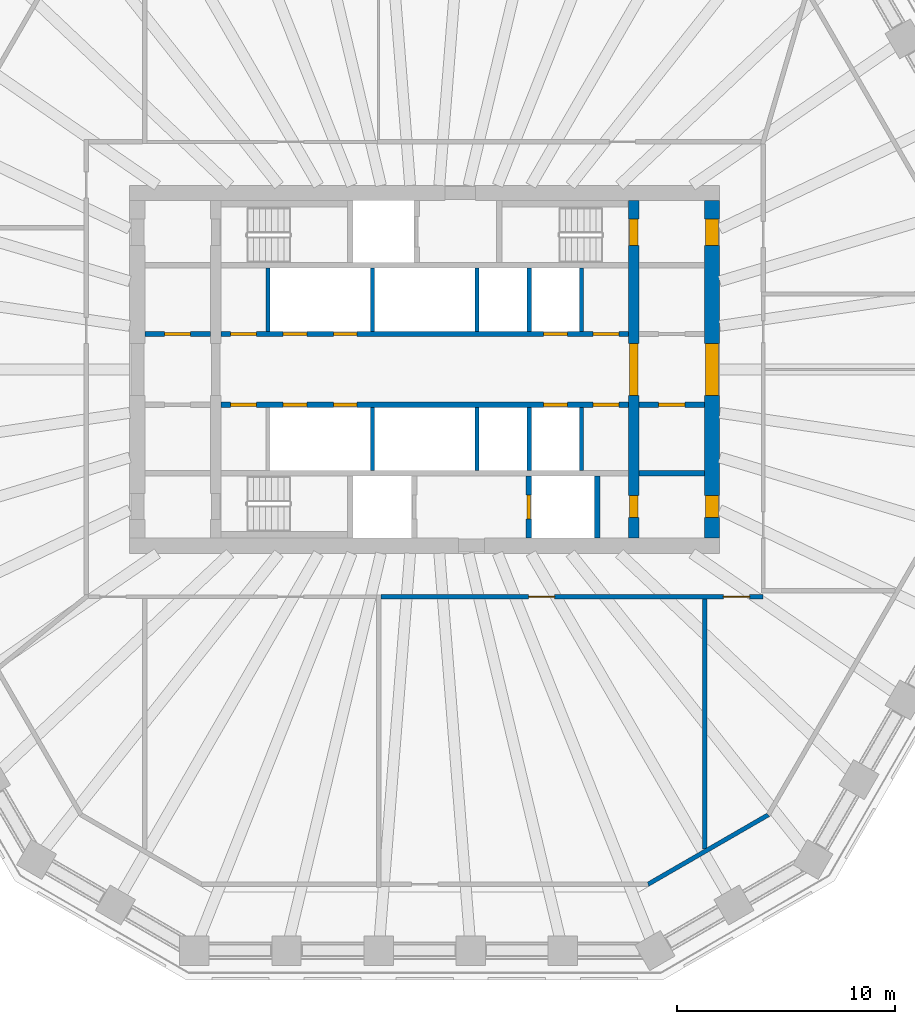
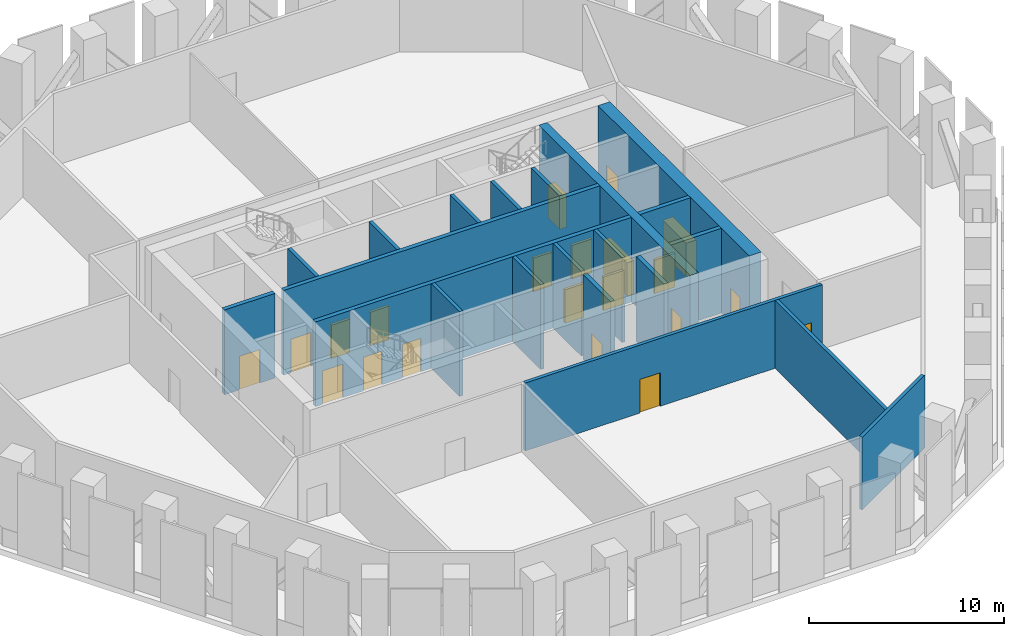
# One storey, part 4 of 8: 21 doors, 21 walls, 21 openings.
"""IFC4 building model written with IfcOpenShell, lengths in metres."""

from ifc_helpers import new_model, si_unit, direction, frame, frame_2d, origin, place, context, subcontext, project, spatial, polyline, rectangle, outline, extrude, material, layer, layer_set, type_object, element, fill, save


model = new_model("IFC4")

# Units and contexts
model_context = context("Model", 3, precision=1e-05, world=origin(), true_north=direction((0.0, 1.0)))
body_context = subcontext(model_context, "Body", "Model", "MODEL_VIEW")
ifc_project = project(units=[si_unit("LENGTHUNIT", "METRE"), si_unit("AREAUNIT", "SQUARE_METRE"), si_unit("VOLUMEUNIT", "CUBIC_METRE"), si_unit("PLANEANGLEUNIT", "RADIAN"), si_unit("MASSUNIT", "GRAM", prefix="KILO")], contexts=[model_context])

# Site, building, storey
site_placement = place(None, origin())
site = spatial("IfcSite", under=ifc_project, at=site_placement, CompositionType="ELEMENT")
building_placement = place(site_placement, origin())
building = spatial("IfcBuilding", under=site, at=building_placement, Name="Frailejon Research Tower", CompositionType="ELEMENT")
storey_placement = place(building_placement, frame((0.0, 0.0, 139.60009765625)))
storey = spatial("IfcBuildingStorey", under=building, at=storey_placement, Name="L30", CompositionType="ELEMENT", Elevation=139.60009765625)

# Wall, openings, doors
ifc_material_1 = material(Name="Concrete C60/75", Category="concrete")
ifc_layer_1 = layer(ifc_material_1, 0.5)
ifc_layer_set_1 = layer_set([ifc_layer_1], Name="Core shear wall 500 C60/75")
wall_type_1 = type_object("IfcWallType", Name="Core shear wall 500 C60/75", PredefinedType="SHEAR", material=ifc_layer_set_1)
wall_1_placement = place(storey_placement, frame((9.60009765625, -7.75, 0.0), z_axis=(0.0, 0.0, 1.0), x_axis=(0.0, 1.0, 0.0)))
wall_1 = element("IfcWall", 1, at=wall_1_placement, inside=storey, type_object=wall_type_1, Name="Core shear wall", PredefinedType="SHEAR", context=body_context, shape_type="SweptSolid", body=[
    extrude(rectangle(XDim=15.5, YDim=0.5, at=frame_2d((7.75, 0.0))), origin(), (0.0, 0.0, 1.0), 5.2998046875),
])
opening_1_placement = place(wall_1_placement, frame((6.550048828125, 0.0, 0.0)))
opening_1 = element("IfcOpeningElement", 2, at=opening_1_placement, cuts=wall_1, Name="Opening D2", PredefinedType="OPENING", context=body_context, shape_type="SweptSolid", body=[
    extrude(rectangle(XDim=2.39990234375, YDim=2.10009765625, at=frame_2d((1.199951171875, 1.050048828125))), frame((0.0, 0.260009765625, 0.0), z_axis=(0.0, -1.0, 0.0), x_axis=(1.0, 0.0, 0.0)), (0.0, 0.0, 1.0), 0.52001953125),
])
opening_2_placement = place(wall_1_placement, frame((13.449951171875, 0.0, 0.0)))
opening_2 = element("IfcOpeningElement", 3, at=opening_2_placement, cuts=wall_1, Name="Opening D1", PredefinedType="OPENING", context=body_context, shape_type="SweptSolid", body=[
    extrude(rectangle(XDim=1.199951171875, YDim=2.10009765625, at=frame_2d((0.60009765625, 1.050048828125))), frame((0.0, 0.260009765625, 0.0), z_axis=(0.0, -1.0, 0.0), x_axis=(1.0, 0.0, 0.0)), (0.0, 0.0, 1.0), 0.52001953125),
])
opening_3_placement = place(wall_1_placement, frame((0.949951171875, 0.0, 0.0)))
opening_3 = element("IfcOpeningElement", 4, at=opening_3_placement, cuts=wall_1, Name="Opening D4", PredefinedType="OPENING", context=body_context, shape_type="SweptSolid", body=[
    extrude(rectangle(XDim=1.0, YDim=2.10009765625, at=frame_2d((0.5, 1.050048828125))), frame((0.0, 0.260009765625, 0.0), z_axis=(0.0, -1.0, 0.0), x_axis=(1.0, 0.0, 0.0)), (0.0, 0.0, 1.0), 0.52001953125),
])
ifc_material_2 = material(Name="Steel", Category="steel")
door_type_1 = type_object("IfcDoorType", Name="Lobby double door", OperationType="DOUBLE_DOOR_SINGLE_SWING", PredefinedType="DOOR", material=ifc_material_2)
door_1_placement = place(opening_1_placement, origin())
door_1 = element("IfcDoor", 5, at=door_1_placement, inside=storey, type_object=door_type_1, Name="Lobby door", OperationType="DOUBLE_DOOR_SINGLE_SWING", OverallHeight=2.10009765625, OverallWidth=2.39990234375, PredefinedType="DOOR", context=body_context, shape_type="SweptSolid", body=[
    extrude(rectangle(XDim=2.39990234375, YDim=2.10009765625, at=frame_2d((1.199951171875, 1.050048828125))), frame((0.0, 0.199951171875, 0.0), z_axis=(0.0, -1.0, 0.0), x_axis=(1.0, 0.0, 0.0)), (0.0, 0.0, 1.0), 0.39990234375),
])
fill(opening_1, door_1)
ifc_material_3 = material(Name="Steel", Category="steel")
door_type_2 = type_object("IfcDoorType", Name="Service door", OperationType="SINGLE_SWING_LEFT", PredefinedType="DOOR", material=ifc_material_3)
door_2_placement = place(opening_3_placement, origin())
door_2 = element("IfcDoor", 6, at=door_2_placement, inside=storey, type_object=door_type_2, Name="Riser door", OperationType="SINGLE_SWING_RIGHT", OverallHeight=2.10009765625, OverallWidth=1.0, PredefinedType="DOOR", context=body_context, shape_type="SweptSolid", body=[
    extrude(rectangle(XDim=1.0, YDim=2.10009765625, at=frame_2d((0.5, 1.050048828125))), frame((0.0, 0.199951171875, 0.0), z_axis=(0.0, -1.0, 0.0), x_axis=(1.0, 0.0, 0.0)), (0.0, 0.0, 1.0), 0.39990234375),
])
fill(opening_3, door_2)
ifc_material_4 = material(Name="Steel", Category="steel")
door_type_3 = type_object("IfcDoorType", Name="Stair door", OperationType="SINGLE_SWING_LEFT", PredefinedType="DOOR", material=ifc_material_4)
door_3_placement = place(opening_2_placement, origin())
door_3 = element("IfcDoor", 7, at=door_3_placement, inside=storey, type_object=door_type_3, Name="Stair door ST3", OperationType="SINGLE_SWING_RIGHT", OverallHeight=2.10009765625, OverallWidth=1.199951171875, PredefinedType="DOOR", context=body_context, shape_type="SweptSolid", body=[
    extrude(rectangle(XDim=1.199951171875, YDim=2.10009765625, at=frame_2d((0.60009765625, 1.050048828125))), frame((0.0, 0.199951171875, 0.0), z_axis=(0.0, -1.0, 0.0), x_axis=(1.0, 0.0, 0.0)), (0.0, 0.0, 1.0), 0.39990234375),
])
fill(opening_2, door_3)

ifc_material_5 = material(Name="Concrete C60/75", Category="concrete")
ifc_layer_2 = layer(ifc_material_5, 0.699951171875)
ifc_layer_set_2 = layer_set([ifc_layer_2], Name="Core shear wall 700 C60/75")
wall_type_2 = type_object("IfcWallType", Name="Core shear wall 700 C60/75", PredefinedType="SHEAR", material=ifc_layer_set_2)
wall_2_placement = place(storey_placement, frame((13.199951171875, -7.75, 0.0), z_axis=(0.0, 0.0, 1.0), x_axis=(0.0, 1.0, 0.0)))
wall_2 = element("IfcWall", 8, at=wall_2_placement, inside=storey, type_object=wall_type_2, Name="Core shear wall", PredefinedType="SHEAR", context=body_context, shape_type="SweptSolid", body=[
    extrude(rectangle(XDim=15.5, YDim=0.699951171875, at=frame_2d((7.75, 0.0))), origin(), (0.0, 0.0, 1.0), 5.2998046875),
])
opening_4_placement = place(wall_2_placement, frame((6.550048828125, 0.0, 0.0)))
opening_4 = element("IfcOpeningElement", 9, at=opening_4_placement, cuts=wall_2, Name="Opening D2", PredefinedType="OPENING", context=body_context, shape_type="SweptSolid", body=[
    extrude(rectangle(XDim=2.39990234375, YDim=2.10009765625, at=frame_2d((1.199951171875, 1.050048828125))), frame((0.0, 0.35986328125, 0.0), z_axis=(0.0, -1.0, 0.0), x_axis=(1.0, 0.0, 0.0)), (0.0, 0.0, 1.0), 0.719970703125),
])
opening_5_placement = place(wall_2_placement, frame((13.449951171875, 0.0, 0.0)))
opening_5 = element("IfcOpeningElement", 10, at=opening_5_placement, cuts=wall_2, Name="Opening D7", PredefinedType="OPENING", context=body_context, shape_type="SweptSolid", body=[
    extrude(rectangle(XDim=1.199951171875, YDim=2.10009765625, at=frame_2d((0.60009765625, 1.050048828125))), frame((0.0, 0.35986328125, 0.0), z_axis=(0.0, -1.0, 0.0), x_axis=(1.0, 0.0, 0.0)), (0.0, 0.0, 1.0), 0.719970703125),
])
opening_6_placement = place(wall_2_placement, frame((0.949951171875, 0.0, 0.0)))
opening_6 = element("IfcOpeningElement", 11, at=opening_6_placement, cuts=wall_2, Name="Opening D4", PredefinedType="OPENING", context=body_context, shape_type="SweptSolid", body=[
    extrude(rectangle(XDim=1.0, YDim=2.10009765625, at=frame_2d((0.5, 1.050048828125))), frame((0.0, 0.35986328125, 0.0), z_axis=(0.0, -1.0, 0.0), x_axis=(1.0, 0.0, 0.0)), (0.0, 0.0, 1.0), 0.719970703125),
])
door_4_placement = place(opening_4_placement, origin())
door_4 = element("IfcDoor", 12, at=door_4_placement, inside=storey, type_object=door_type_1, Name="Lobby door", OperationType="DOUBLE_DOOR_SINGLE_SWING", OverallHeight=2.10009765625, OverallWidth=2.39990234375, PredefinedType="DOOR", context=body_context, shape_type="SweptSolid", body=[
    extrude(rectangle(XDim=2.39990234375, YDim=2.10009765625, at=frame_2d((1.199951171875, 1.050048828125))), frame((0.0, 0.300048828125, 0.0), z_axis=(0.0, -1.0, 0.0), x_axis=(1.0, 0.0, 0.0)), (0.0, 0.0, 1.0), 0.60009765625),
])
fill(opening_4, door_4)
door_5_placement = place(opening_6_placement, origin())
door_5 = element("IfcDoor", 13, at=door_5_placement, inside=storey, type_object=door_type_2, Name="Store door", OperationType="SINGLE_SWING_LEFT", OverallHeight=2.10009765625, OverallWidth=1.0, PredefinedType="DOOR", context=body_context, shape_type="SweptSolid", body=[
    extrude(rectangle(XDim=1.0, YDim=2.10009765625, at=frame_2d((0.5, 1.050048828125))), frame((0.0, 0.300048828125, 0.0), z_axis=(0.0, -1.0, 0.0), x_axis=(1.0, 0.0, 0.0)), (0.0, 0.0, 1.0), 0.60009765625),
])
fill(opening_6, door_5)
ifc_material_6 = material(Name="Steel", Category="steel")
door_type_4 = type_object("IfcDoorType", Name="Stair exit door", OperationType="SINGLE_SWING_LEFT", PredefinedType="DOOR", material=ifc_material_6)
door_6_placement = place(opening_5_placement, origin())
door_6 = element("IfcDoor", 14, at=door_6_placement, inside=storey, type_object=door_type_4, Name="Stair exit door ST3", OperationType="SINGLE_SWING_LEFT", OverallHeight=2.10009765625, OverallWidth=1.199951171875, PredefinedType="DOOR", context=body_context, shape_type="SweptSolid", body=[
    extrude(rectangle(XDim=1.199951171875, YDim=2.10009765625, at=frame_2d((0.60009765625, 1.050048828125))), frame((0.0, 0.300048828125, 0.0), z_axis=(0.0, -1.0, 0.0), x_axis=(1.0, 0.0, 0.0)), (0.0, 0.0, 1.0), 0.60009765625),
])
fill(opening_5, door_6)

# Wall
ifc_material_7 = material(Name="Aluminium louvre panel wall", Category="aluminium")
ifc_layer_3 = layer(ifc_material_7, 0.199951171875)
ifc_layer_set_3 = layer_set([ifc_layer_3], Name="Louvred plant wall 200")
wall_type_3 = type_object("IfcWallType", Name="Louvred plant wall 200", PredefinedType="SOLIDWALL", material=ifc_layer_set_3)
wall_3_placement = place(storey_placement, frame((10.2626953125, -23.64990234375, 0.0), z_axis=(0.0, 0.0, 1.0), x_axis=(0.866026138243, 0.499998727878, 0.0)))
element("IfcWall", 15, at=wall_3_placement, inside=storey, type_object=wall_type_3, Name="Plant louvre wall L30", PredefinedType="SOLIDWALL", context=body_context, shape_type="SweptSolid", body=[
    extrude(outline(polyline([(-0.02685546875, -0.10009765625), (6.4013671875, -0.10009765625), (6.34765625, 0.10009765625), (0.02685546875, 0.10009765625), (-0.02685546875, -0.10009765625)])), origin(), (0.0, 0.0, 1.0), 4.5498046875),
])

# Wall, openings, doors
ifc_material_8 = material(Name="Gypsum board and masonry partition", Category="masonry")
ifc_layer_4 = layer(ifc_material_8, 0.199951171875)
ifc_layer_set_4 = layer_set([ifc_layer_4], Name="Plant enclosure wall, blockwork 200")
wall_type_4 = type_object("IfcWallType", Name="Plant enclosure wall, blockwork 200", PredefinedType="PARTITIONING", material=ifc_layer_set_4)
wall_4_placement = place(storey_placement, frame((-2.01611328125, -10.449951171875, 0.0), z_axis=(0.0, 0.0, 1.0), x_axis=(1.0, 0.0, 0.0)))
wall_4 = element("IfcWall", 16, at=wall_4_placement, inside=storey, type_object=wall_type_4, Name="T:IW:L30:010", PredefinedType="PARTITIONING", context=body_context, shape_type="SweptSolid", body=[
    extrude(rectangle(XDim=17.566162109375, YDim=0.199951171875, at=frame_2d((8.783203125, 0.0))), origin(), (0.0, 0.0, 1.0), 4.25),
])
opening_7_placement = place(wall_4_placement, frame((6.7861328125, 0.0, 0.0)))
opening_7 = element("IfcOpeningElement", 17, at=opening_7_placement, cuts=wall_4, Name="Opening D1117", PredefinedType="OPENING", context=body_context, shape_type="SweptSolid", body=[
    extrude(rectangle(XDim=1.199951171875, YDim=2.10009765625, at=frame_2d((0.60009765625, 1.050048828125))), frame((0.0, 0.10986328125, 0.0), z_axis=(0.0, -1.0, 0.0), x_axis=(1.0, 0.0, 0.0)), (0.0, 0.0, 1.0), 0.219970703125),
])
opening_8_placement = place(wall_4_placement, frame((15.73828125, 0.0, 0.0)))
opening_8 = element("IfcOpeningElement", 18, at=opening_8_placement, cuts=wall_4, Name="Opening D1118", PredefinedType="OPENING", context=body_context, shape_type="SweptSolid", body=[
    extrude(rectangle(XDim=1.199951171875, YDim=2.10009765625, at=frame_2d((0.60009765625, 1.050048828125))), frame((0.0, 0.10986328125, 0.0), z_axis=(0.0, -1.0, 0.0), x_axis=(1.0, 0.0, 0.0)), (0.0, 0.0, 1.0), 0.219970703125),
])
ifc_material_9 = material(Name="Steel door leaf", Category="steel")
door_type_5 = type_object("IfcDoorType", Name="Door plant room, steel 1200", OperationType="NOTDEFINED", PredefinedType="DOOR", material=ifc_material_9)
door_7_placement = place(opening_7_placement, origin())
door_7 = element("IfcDoor", 19, at=door_7_placement, inside=storey, type_object=door_type_5, Name="D1117", OperationType="DOUBLE_DOOR_SINGLE_SWING", OverallHeight=2.10009765625, OverallWidth=1.199951171875, PredefinedType="DOOR", context=body_context, shape_type="SweptSolid", body=[
    extrude(rectangle(XDim=1.199951171875, YDim=2.10009765625, at=frame_2d((0.60009765625, 1.050048828125))), frame((0.0, 0.02490234375, 0.0), z_axis=(0.0, -1.0, 0.0), x_axis=(1.0, 0.0, 0.0)), (0.0, 0.0, 1.0), 0.050048828125),
])
fill(opening_7, door_7)
door_8_placement = place(opening_8_placement, origin())
door_8 = element("IfcDoor", 20, at=door_8_placement, inside=storey, type_object=door_type_5, Name="D1118", OperationType="DOUBLE_DOOR_SINGLE_SWING", OverallHeight=2.10009765625, OverallWidth=1.199951171875, PredefinedType="DOOR", context=body_context, shape_type="SweptSolid", body=[
    extrude(rectangle(XDim=1.199951171875, YDim=2.10009765625, at=frame_2d((0.60009765625, 1.050048828125))), frame((0.0, 0.02490234375, 0.0), z_axis=(0.0, -1.0, 0.0), x_axis=(1.0, 0.0, 0.0)), (0.0, 0.0, 1.0), 0.050048828125),
])
fill(opening_8, door_8)

# Walls
wall_5_placement = place(storey_placement, frame((12.8564453125, -22.037109375, 0.0), z_axis=(0.0, 0.0, 1.0), x_axis=(0.0, 1.0, 0.0)))
element("IfcWall", 21, at=wall_5_placement, inside=storey, type_object=wall_type_4, Name="T:IW:L30:018", PredefinedType="PARTITIONING", context=body_context, shape_type="SweptSolid", body=[
    extrude(rectangle(XDim=11.487060546875, YDim=0.199951171875, at=frame_2d((5.74365234375, 0.0))), origin(), (0.0, 0.0, 1.0), 4.25),
])
ifc_material_10 = material(Name="Concrete C60/75", Category="concrete")
ifc_layer_5 = layer(ifc_material_10, 0.199951171875)
ifc_layer_set_5 = layer_set([ifc_layer_5], Name="Shaft wall 200 C60/75")
wall_type_5 = type_object("IfcWallType", Name="Shaft wall 200 C60/75", PredefinedType="SOLIDWALL", material=ifc_layer_set_5)
for number, where, z_axis, x_axis, name in (
    (22, (-7.199951171875, 1.75, 0.0), (0.0, 0.0, 1.0), (0.0, 1.0, 0.0), "Shaft wall"),
    (23, (-2.39990234375, 1.75, 0.0), (0.0, 0.0, 1.0), (0.0, 1.0, 0.0), "Shaft wall"),
    (24, (2.39990234375, 1.75, 0.0), (0.0, 0.0, 1.0), (0.0, 1.0, 0.0), "Shaft wall"),
    (25, (4.800048828125, 1.75, 0.0), (0.0, 0.0, 1.0), (0.0, 1.0, 0.0), "Shaft wall"),
    (26, (7.199951171875, 1.75, 0.0), (0.0, 0.0, 1.0), (0.0, 1.0, 0.0), "Shaft wall"),
    (27, (-2.39990234375, -4.64990234375, 0.0), (0.0, 0.0, 1.0), (0.0, 1.0, 0.0), "Shaft wall"),
    (28, (2.39990234375, -4.64990234375, 0.0), (0.0, 0.0, 1.0), (0.0, 1.0, 0.0), "Shaft wall"),
    (29, (4.800048828125, -4.64990234375, 0.0), (0.0, 0.0, 1.0), (0.0, 1.0, 0.0), "Shaft wall"),
    (30, (7.199951171875, -4.64990234375, 0.0), (0.0, 0.0, 1.0), (0.0, 1.0, 0.0), "Shaft wall"),
):
    element("IfcWall", number, at=place(storey_placement, frame(where, z_axis=z_axis, x_axis=x_axis)), inside=storey, type_object=wall_type_5, Name=name, PredefinedType="SOLIDWALL", context=body_context, shape_type="SweptSolid", body=[
        extrude(rectangle(XDim=2.89990234375, YDim=0.199951171875, at=frame_2d((1.449951171875, 0.0))), origin(), (0.0, 0.0, 1.0), 5.2998046875),
    ])

# Wall, opening, door
ifc_material_11 = material(Name="Concrete C60/75", Category="concrete")
ifc_layer_6 = layer(ifc_material_11, 0.25)
ifc_layer_set_6 = layer_set([ifc_layer_6], Name="Shaft wall 250 C60/75")
wall_type_6 = type_object("IfcWallType", Name="Shaft wall 250 C60/75", PredefinedType="SOLIDWALL", material=ifc_layer_set_6)
wall_6_placement = place(storey_placement, frame((-12.85009765625, 1.625, 0.0), z_axis=(0.0, 0.0, 1.0), x_axis=(1.0, 0.0, 0.0)))
wall_6 = element("IfcWall", 31, at=wall_6_placement, inside=storey, type_object=wall_type_6, Name="Shaft wall", PredefinedType="SOLIDWALL", context=body_context, shape_type="SweptSolid", body=[
    extrude(rectangle(XDim=3.0, YDim=0.25, at=frame_2d((1.5, 0.0))), origin(), (0.0, 0.0, 1.0), 5.2998046875),
])
opening_9_placement = place(wall_6_placement, frame((0.89990234375, 0.0, 0.0)))
opening_9 = element("IfcOpeningElement", 32, at=opening_9_placement, cuts=wall_6, Name="Opening D6", PredefinedType="OPENING", context=body_context, shape_type="SweptSolid", body=[
    extrude(rectangle(XDim=1.199951171875, YDim=2.10009765625, at=frame_2d((0.60009765625, 1.050048828125))), frame((0.0, 0.135009765625, 0.0), z_axis=(0.0, -1.0, 0.0), x_axis=(1.0, 0.0, 0.0)), (0.0, 0.0, 1.0), 0.27001953125),
])
ifc_material_12 = material(Name="Steel", Category="steel")
door_type_6 = type_object("IfcDoorType", Name="Plant door", OperationType="SINGLE_SWING_LEFT", PredefinedType="DOOR", material=ifc_material_12)
door_9_placement = place(opening_9_placement, origin())
door_9 = element("IfcDoor", 33, at=door_9_placement, inside=storey, type_object=door_type_6, Name="Room door", OperationType="SINGLE_SWING_RIGHT", OverallHeight=2.10009765625, OverallWidth=1.199951171875, PredefinedType="DOOR", context=body_context, shape_type="SweptSolid", body=[
    extrude(rectangle(XDim=1.199951171875, YDim=2.10009765625, at=frame_2d((0.60009765625, 1.050048828125))), frame((0.0, 0.074951171875, 0.0), z_axis=(0.0, -1.0, 0.0), x_axis=(1.0, 0.0, 0.0)), (0.0, 0.0, 1.0), 0.14990234375),
])
fill(opening_9, door_9)

# Wall, openings, doors
wall_7_placement = place(storey_placement, frame((-9.35009765625, 1.625, 0.0), z_axis=(0.0, 0.0, 1.0), x_axis=(1.0, 0.0, 0.0)))
wall_7 = element("IfcWall", 34, at=wall_7_placement, inside=storey, type_object=wall_type_6, Name="Shaft wall", PredefinedType="SOLIDWALL", context=body_context, shape_type="SweptSolid", body=[
    extrude(rectangle(XDim=18.7001953125, YDim=0.25, at=frame_2d((9.35009765625, 0.0))), origin(), (0.0, 0.0, 1.0), 5.2998046875),
])
opening_10_placement = place(wall_7_placement, frame((2.85009765625, 0.0, 0.0)))
opening_10 = element("IfcOpeningElement", 35, at=opening_10_placement, cuts=wall_7, Name="Opening LD", PredefinedType="OPENING", context=body_context, shape_type="SweptSolid", body=[
    extrude(rectangle(XDim=1.10009765625, YDim=2.10009765625, at=frame_2d((0.550048828125, 1.050048828125))), frame((0.0, 0.135009765625, 0.0), z_axis=(0.0, -1.0, 0.0), x_axis=(1.0, 0.0, 0.0)), (0.0, 0.0, 1.0), 0.27001953125),
])
opening_11_placement = place(wall_7_placement, frame((5.14990234375, 0.0, 0.0)))
opening_11 = element("IfcOpeningElement", 36, at=opening_11_placement, cuts=wall_7, Name="Opening LD", PredefinedType="OPENING", context=body_context, shape_type="SweptSolid", body=[
    extrude(rectangle(XDim=1.10009765625, YDim=2.10009765625, at=frame_2d((0.550048828125, 1.050048828125))), frame((0.0, 0.135009765625, 0.0), z_axis=(0.0, -1.0, 0.0), x_axis=(1.0, 0.0, 0.0)), (0.0, 0.0, 1.0), 0.27001953125),
])
opening_12_placement = place(wall_7_placement, frame((14.800048828125, 0.0, 0.0)))
opening_12 = element("IfcOpeningElement", 37, at=opening_12_placement, cuts=wall_7, Name="Opening LD", PredefinedType="OPENING", context=body_context, shape_type="SweptSolid", body=[
    extrude(rectangle(XDim=1.10009765625, YDim=2.10009765625, at=frame_2d((0.550048828125, 1.050048828125))), frame((0.0, 0.135009765625, 0.0), z_axis=(0.0, -1.0, 0.0), x_axis=(1.0, 0.0, 0.0)), (0.0, 0.0, 1.0), 0.27001953125),
])
opening_13_placement = place(wall_7_placement, frame((0.425048828125, 0.0, 0.0)))
opening_13 = element("IfcOpeningElement", 38, at=opening_13_placement, cuts=wall_7, Name="Opening D6", PredefinedType="OPENING", context=body_context, shape_type="SweptSolid", body=[
    extrude(rectangle(XDim=1.199951171875, YDim=2.10009765625, at=frame_2d((0.60009765625, 1.050048828125))), frame((0.0, 0.135009765625, 0.0), z_axis=(0.0, -1.0, 0.0), x_axis=(1.0, 0.0, 0.0)), (0.0, 0.0, 1.0), 0.27001953125),
])
opening_14_placement = place(wall_7_placement, frame((17.074951171875, 0.0, 0.0)))
opening_14 = element("IfcOpeningElement", 39, at=opening_14_placement, cuts=wall_7, Name="Opening D5", PredefinedType="OPENING", context=body_context, shape_type="SweptSolid", body=[
    extrude(rectangle(XDim=1.199951171875, YDim=2.10009765625, at=frame_2d((0.60009765625, 1.050048828125))), frame((0.0, 0.135009765625, 0.0), z_axis=(0.0, -1.0, 0.0), x_axis=(1.0, 0.0, 0.0)), (0.0, 0.0, 1.0), 0.27001953125),
])
ifc_material_13 = material(Name="Steel", Category="steel")
door_type_7 = type_object("IfcDoorType", Name="Lift landing door", OperationType="DOUBLE_DOOR_SLIDING", PredefinedType="DOOR", material=ifc_material_13)
door_10_placement = place(opening_10_placement, origin())
door_10 = element("IfcDoor", 40, at=door_10_placement, inside=storey, type_object=door_type_7, Name="Lift landing door", OperationType="DOUBLE_DOOR_SLIDING", OverallHeight=2.10009765625, OverallWidth=1.10009765625, PredefinedType="DOOR", context=body_context, shape_type="SweptSolid", body=[
    extrude(rectangle(XDim=1.10009765625, YDim=2.10009765625, at=frame_2d((0.550048828125, 1.050048828125))), frame((0.0, 0.074951171875, 0.0), z_axis=(0.0, -1.0, 0.0), x_axis=(1.0, 0.0, 0.0)), (0.0, 0.0, 1.0), 0.14990234375),
])
fill(opening_10, door_10)
door_11_placement = place(opening_11_placement, origin())
door_11 = element("IfcDoor", 41, at=door_11_placement, inside=storey, type_object=door_type_7, Name="Lift landing door", OperationType="DOUBLE_DOOR_SLIDING", OverallHeight=2.10009765625, OverallWidth=1.10009765625, PredefinedType="DOOR", context=body_context, shape_type="SweptSolid", body=[
    extrude(rectangle(XDim=1.10009765625, YDim=2.10009765625, at=frame_2d((0.550048828125, 1.050048828125))), frame((0.0, 0.074951171875, 0.0), z_axis=(0.0, -1.0, 0.0), x_axis=(1.0, 0.0, 0.0)), (0.0, 0.0, 1.0), 0.14990234375),
])
fill(opening_11, door_11)
door_12_placement = place(opening_12_placement, origin())
door_12 = element("IfcDoor", 42, at=door_12_placement, inside=storey, type_object=door_type_7, Name="Lift landing door", OperationType="DOUBLE_DOOR_SLIDING", OverallHeight=2.10009765625, OverallWidth=1.10009765625, PredefinedType="DOOR", context=body_context, shape_type="SweptSolid", body=[
    extrude(rectangle(XDim=1.10009765625, YDim=2.10009765625, at=frame_2d((0.550048828125, 1.050048828125))), frame((0.0, 0.074951171875, 0.0), z_axis=(0.0, -1.0, 0.0), x_axis=(1.0, 0.0, 0.0)), (0.0, 0.0, 1.0), 0.14990234375),
])
fill(opening_12, door_12)
door_13_placement = place(opening_13_placement, origin())
door_13 = element("IfcDoor", 43, at=door_13_placement, inside=storey, type_object=door_type_6, Name="Room door", OperationType="SINGLE_SWING_LEFT", OverallHeight=2.10009765625, OverallWidth=1.199951171875, PredefinedType="DOOR", context=body_context, shape_type="SweptSolid", body=[
    extrude(rectangle(XDim=1.199951171875, YDim=2.10009765625, at=frame_2d((0.60009765625, 1.050048828125))), frame((0.0, 0.074951171875, 0.0), z_axis=(0.0, -1.0, 0.0), x_axis=(1.0, 0.0, 0.0)), (0.0, 0.0, 1.0), 0.14990234375),
])
fill(opening_13, door_13)
ifc_material_14 = material(Name="Steel", Category="steel")
door_type_8 = type_object("IfcDoorType", Name="Refuge door", OperationType="SINGLE_SWING_LEFT", PredefinedType="DOOR", material=ifc_material_14)
door_14_placement = place(opening_14_placement, origin())
door_14 = element("IfcDoor", 44, at=door_14_placement, inside=storey, type_object=door_type_8, Name="Room door", OperationType="SINGLE_SWING_RIGHT", OverallHeight=2.10009765625, OverallWidth=1.199951171875, PredefinedType="DOOR", context=body_context, shape_type="SweptSolid", body=[
    extrude(rectangle(XDim=1.199951171875, YDim=2.10009765625, at=frame_2d((0.60009765625, 1.050048828125))), frame((0.0, 0.074951171875, 0.0), z_axis=(0.0, -1.0, 0.0), x_axis=(1.0, 0.0, 0.0)), (0.0, 0.0, 1.0), 0.14990234375),
])
fill(opening_14, door_14)

wall_8_placement = place(storey_placement, frame((-9.35009765625, -1.625, 0.0), z_axis=(0.0, 0.0, 1.0), x_axis=(1.0, 0.0, 0.0)))
wall_8 = element("IfcWall", 45, at=wall_8_placement, inside=storey, type_object=wall_type_6, Name="Shaft wall", PredefinedType="SOLIDWALL", context=body_context, shape_type="SweptSolid", body=[
    extrude(rectangle(XDim=18.7001953125, YDim=0.25, at=frame_2d((9.35009765625, 0.0))), origin(), (0.0, 0.0, 1.0), 5.2998046875),
])
opening_15_placement = place(wall_8_placement, frame((2.85009765625, 0.0, 0.0)))
opening_15 = element("IfcOpeningElement", 46, at=opening_15_placement, cuts=wall_8, Name="Opening LD", PredefinedType="OPENING", context=body_context, shape_type="SweptSolid", body=[
    extrude(rectangle(XDim=1.10009765625, YDim=2.10009765625, at=frame_2d((0.550048828125, 1.050048828125))), frame((0.0, 0.135009765625, 0.0), z_axis=(0.0, -1.0, 0.0), x_axis=(1.0, 0.0, 0.0)), (0.0, 0.0, 1.0), 0.27001953125),
])
opening_16_placement = place(wall_8_placement, frame((5.14990234375, 0.0, 0.0)))
opening_16 = element("IfcOpeningElement", 47, at=opening_16_placement, cuts=wall_8, Name="Opening LD", PredefinedType="OPENING", context=body_context, shape_type="SweptSolid", body=[
    extrude(rectangle(XDim=1.10009765625, YDim=2.10009765625, at=frame_2d((0.550048828125, 1.050048828125))), frame((0.0, 0.135009765625, 0.0), z_axis=(0.0, -1.0, 0.0), x_axis=(1.0, 0.0, 0.0)), (0.0, 0.0, 1.0), 0.27001953125),
])
opening_17_placement = place(wall_8_placement, frame((14.800048828125, 0.0, 0.0)))
opening_17 = element("IfcOpeningElement", 48, at=opening_17_placement, cuts=wall_8, Name="Opening LD", PredefinedType="OPENING", context=body_context, shape_type="SweptSolid", body=[
    extrude(rectangle(XDim=1.10009765625, YDim=2.10009765625, at=frame_2d((0.550048828125, 1.050048828125))), frame((0.0, 0.135009765625, 0.0), z_axis=(0.0, -1.0, 0.0), x_axis=(1.0, 0.0, 0.0)), (0.0, 0.0, 1.0), 0.27001953125),
])
opening_18_placement = place(wall_8_placement, frame((0.425048828125, 0.0, 0.0)))
opening_18 = element("IfcOpeningElement", 49, at=opening_18_placement, cuts=wall_8, Name="Opening D6", PredefinedType="OPENING", context=body_context, shape_type="SweptSolid", body=[
    extrude(rectangle(XDim=1.199951171875, YDim=2.10009765625, at=frame_2d((0.60009765625, 1.050048828125))), frame((0.0, 0.135009765625, 0.0), z_axis=(0.0, -1.0, 0.0), x_axis=(1.0, 0.0, 0.0)), (0.0, 0.0, 1.0), 0.27001953125),
])
opening_19_placement = place(wall_8_placement, frame((17.074951171875, 0.0, 0.0)))
opening_19 = element("IfcOpeningElement", 50, at=opening_19_placement, cuts=wall_8, Name="Opening D6", PredefinedType="OPENING", context=body_context, shape_type="SweptSolid", body=[
    extrude(rectangle(XDim=1.199951171875, YDim=2.10009765625, at=frame_2d((0.60009765625, 1.050048828125))), frame((0.0, 0.135009765625, 0.0), z_axis=(0.0, -1.0, 0.0), x_axis=(1.0, 0.0, 0.0)), (0.0, 0.0, 1.0), 0.27001953125),
])
door_15_placement = place(opening_15_placement, origin())
door_15 = element("IfcDoor", 51, at=door_15_placement, inside=storey, type_object=door_type_7, Name="Lift landing door", OperationType="DOUBLE_DOOR_SLIDING", OverallHeight=2.10009765625, OverallWidth=1.10009765625, PredefinedType="DOOR", context=body_context, shape_type="SweptSolid", body=[
    extrude(rectangle(XDim=1.10009765625, YDim=2.10009765625, at=frame_2d((0.550048828125, 1.050048828125))), frame((0.0, 0.074951171875, 0.0), z_axis=(0.0, -1.0, 0.0), x_axis=(1.0, 0.0, 0.0)), (0.0, 0.0, 1.0), 0.14990234375),
])
fill(opening_15, door_15)
door_16_placement = place(opening_16_placement, origin())
door_16 = element("IfcDoor", 52, at=door_16_placement, inside=storey, type_object=door_type_7, Name="Lift landing door", OperationType="DOUBLE_DOOR_SLIDING", OverallHeight=2.10009765625, OverallWidth=1.10009765625, PredefinedType="DOOR", context=body_context, shape_type="SweptSolid", body=[
    extrude(rectangle(XDim=1.10009765625, YDim=2.10009765625, at=frame_2d((0.550048828125, 1.050048828125))), frame((0.0, 0.074951171875, 0.0), z_axis=(0.0, -1.0, 0.0), x_axis=(1.0, 0.0, 0.0)), (0.0, 0.0, 1.0), 0.14990234375),
])
fill(opening_16, door_16)
door_17_placement = place(opening_17_placement, origin())
door_17 = element("IfcDoor", 53, at=door_17_placement, inside=storey, type_object=door_type_7, Name="Lift landing door", OperationType="DOUBLE_DOOR_SLIDING", OverallHeight=2.10009765625, OverallWidth=1.10009765625, PredefinedType="DOOR", context=body_context, shape_type="SweptSolid", body=[
    extrude(rectangle(XDim=1.10009765625, YDim=2.10009765625, at=frame_2d((0.550048828125, 1.050048828125))), frame((0.0, 0.074951171875, 0.0), z_axis=(0.0, -1.0, 0.0), x_axis=(1.0, 0.0, 0.0)), (0.0, 0.0, 1.0), 0.14990234375),
])
fill(opening_17, door_17)
door_18_placement = place(opening_18_placement, origin())
door_18 = element("IfcDoor", 54, at=door_18_placement, inside=storey, type_object=door_type_6, Name="Room door", OperationType="SINGLE_SWING_LEFT", OverallHeight=2.10009765625, OverallWidth=1.199951171875, PredefinedType="DOOR", context=body_context, shape_type="SweptSolid", body=[
    extrude(rectangle(XDim=1.199951171875, YDim=2.10009765625, at=frame_2d((0.60009765625, 1.050048828125))), frame((0.0, 0.074951171875, 0.0), z_axis=(0.0, -1.0, 0.0), x_axis=(1.0, 0.0, 0.0)), (0.0, 0.0, 1.0), 0.14990234375),
])
fill(opening_18, door_18)
door_19_placement = place(opening_19_placement, origin())
door_19 = element("IfcDoor", 55, at=door_19_placement, inside=storey, type_object=door_type_6, Name="Room door", OperationType="SINGLE_SWING_RIGHT", OverallHeight=2.10009765625, OverallWidth=1.199951171875, PredefinedType="DOOR", context=body_context, shape_type="SweptSolid", body=[
    extrude(rectangle(XDim=1.199951171875, YDim=2.10009765625, at=frame_2d((0.60009765625, 1.050048828125))), frame((0.0, 0.074951171875, 0.0), z_axis=(0.0, -1.0, 0.0), x_axis=(1.0, 0.0, 0.0)), (0.0, 0.0, 1.0), 0.14990234375),
])
fill(opening_19, door_19)

# Wall, opening, door
wall_9_placement = place(storey_placement, frame((9.85009765625, -1.625, 0.0), z_axis=(0.0, 0.0, 1.0), x_axis=(1.0, 0.0, 0.0)))
wall_9 = element("IfcWall", 56, at=wall_9_placement, inside=storey, type_object=wall_type_6, Name="Shaft wall", PredefinedType="SOLIDWALL", context=body_context, shape_type="SweptSolid", body=[
    extrude(rectangle(XDim=3.0, YDim=0.25, at=frame_2d((1.5, 0.0))), origin(), (0.0, 0.0, 1.0), 5.2998046875),
])
opening_20_placement = place(wall_9_placement, frame((0.89990234375, 0.0, 0.0)))
opening_20 = element("IfcOpeningElement", 57, at=opening_20_placement, cuts=wall_9, Name="Opening D6", PredefinedType="OPENING", context=body_context, shape_type="SweptSolid", body=[
    extrude(rectangle(XDim=1.199951171875, YDim=2.10009765625, at=frame_2d((0.60009765625, 1.050048828125))), frame((0.0, 0.135009765625, 0.0), z_axis=(0.0, -1.0, 0.0), x_axis=(1.0, 0.0, 0.0)), (0.0, 0.0, 1.0), 0.27001953125),
])
door_20_placement = place(opening_20_placement, origin())
door_20 = element("IfcDoor", 58, at=door_20_placement, inside=storey, type_object=door_type_6, Name="Room door", OperationType="SINGLE_SWING_LEFT", OverallHeight=2.10009765625, OverallWidth=1.199951171875, PredefinedType="DOOR", context=body_context, shape_type="SweptSolid", body=[
    extrude(rectangle(XDim=1.199951171875, YDim=2.10009765625, at=frame_2d((0.60009765625, 1.050048828125))), frame((0.0, 0.074951171875, 0.0), z_axis=(0.0, -1.0, 0.0), x_axis=(1.0, 0.0, 0.0)), (0.0, 0.0, 1.0), 0.14990234375),
])
fill(opening_20, door_20)

# Wall
wall_10_placement = place(storey_placement, frame((9.85009765625, -4.77490234375, 0.0), z_axis=(0.0, 0.0, 1.0), x_axis=(1.0, 0.0, 0.0)))
element("IfcWall", 59, at=wall_10_placement, inside=storey, type_object=wall_type_6, Name="Shaft wall", PredefinedType="SOLIDWALL", context=body_context, shape_type="SweptSolid", body=[
    extrude(rectangle(XDim=3.0, YDim=0.25, at=frame_2d((1.5, 0.0))), origin(), (0.0, 0.0, 1.0), 5.2998046875),
])

# Wall, opening, door
wall_11_placement = place(storey_placement, frame((4.77490234375, -7.75, 0.0), z_axis=(0.0, 0.0, 1.0), x_axis=(0.0, 1.0, 0.0)))
wall_11 = element("IfcWall", 60, at=wall_11_placement, inside=storey, type_object=wall_type_6, Name="Shaft wall", PredefinedType="SOLIDWALL", context=body_context, shape_type="SweptSolid", body=[
    extrude(rectangle(XDim=2.85009765625, YDim=0.25, at=frame_2d((1.425048828125, 0.0))), origin(), (0.0, 0.0, 1.0), 5.2998046875),
])
opening_21_placement = place(wall_11_placement, frame((0.875, 0.0, 0.0)))
opening_21 = element("IfcOpeningElement", 61, at=opening_21_placement, cuts=wall_11, Name="Opening LD", PredefinedType="OPENING", context=body_context, shape_type="SweptSolid", body=[
    extrude(rectangle(XDim=1.10009765625, YDim=2.10009765625, at=frame_2d((0.550048828125, 1.050048828125))), frame((0.0, 0.135009765625, 0.0), z_axis=(0.0, -1.0, 0.0), x_axis=(1.0, 0.0, 0.0)), (0.0, 0.0, 1.0), 0.27001953125),
])
door_21_placement = place(opening_21_placement, origin())
door_21 = element("IfcDoor", 62, at=door_21_placement, inside=storey, type_object=door_type_7, Name="Lift landing door", OperationType="DOUBLE_DOOR_SLIDING", OverallHeight=2.10009765625, OverallWidth=1.10009765625, PredefinedType="DOOR", context=body_context, shape_type="SweptSolid", body=[
    extrude(rectangle(XDim=1.10009765625, YDim=2.10009765625, at=frame_2d((0.550048828125, 1.050048828125))), frame((0.0, 0.074951171875, 0.0), z_axis=(0.0, -1.0, 0.0), x_axis=(1.0, 0.0, 0.0)), (0.0, 0.0, 1.0), 0.14990234375),
])
fill(opening_21, door_21)

# Wall
wall_12_placement = place(storey_placement, frame((7.925048828125, -7.75, 0.0), z_axis=(0.0, 0.0, 1.0), x_axis=(0.0, 1.0, 0.0)))
element("IfcWall", 63, at=wall_12_placement, inside=storey, type_object=wall_type_6, Name="Shaft wall", PredefinedType="SOLIDWALL", context=body_context, shape_type="SweptSolid", body=[
    extrude(rectangle(XDim=2.85009765625, YDim=0.25, at=frame_2d((1.425048828125, 0.0))), origin(), (0.0, 0.0, 1.0), 5.2998046875),
])

save(model, "model.ifc")
